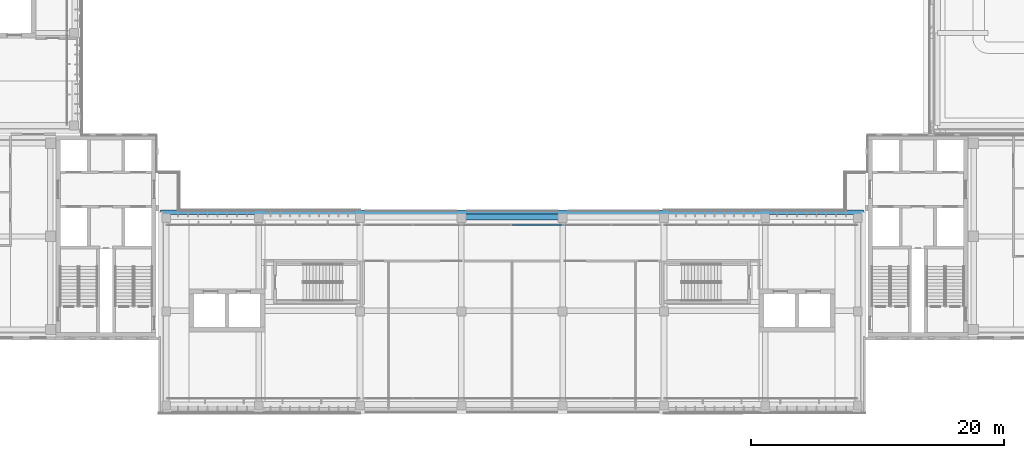
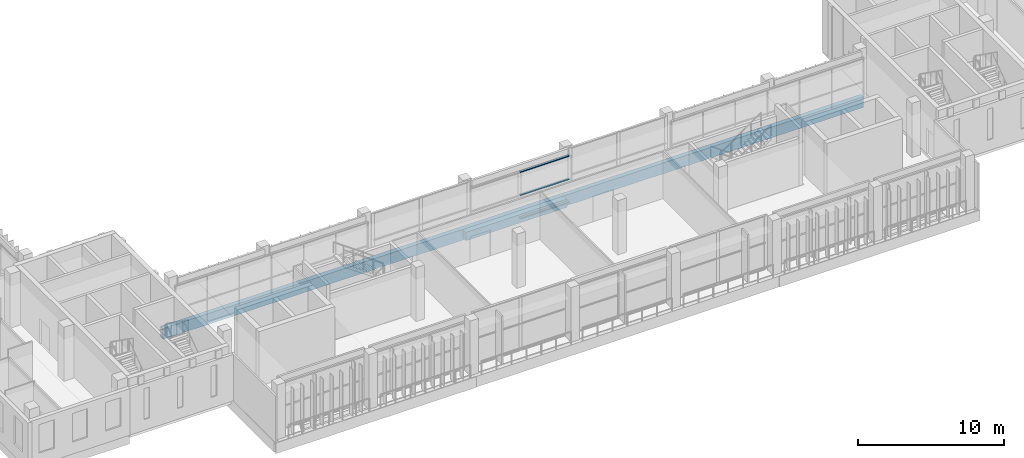
# One storey, part 10 of 46: 3 members, 2 beams, 1 element without a shape of its own.
"""IFC4 building model written with IfcOpenShell, lengths in metres."""

from ifc_helpers import new_model, si_unit, direction, frame, origin, origin_2d, place, context, subcontext, project, spatial, rectangle, extrude, material, material_profile, profile_set, type_object, element, aggregate, save


model = new_model("IFC4")

# Units and contexts
model_context = context("Model", 3, precision=1e-05, world=origin(), true_north=direction((0.0, 1.0)))
body_context = subcontext(model_context, "Body", "Model", "MODEL_VIEW")
ifc_project = project(units=[si_unit("LENGTHUNIT", "METRE"), si_unit("AREAUNIT", "SQUARE_METRE"), si_unit("VOLUMEUNIT", "CUBIC_METRE"), si_unit("PLANEANGLEUNIT", "RADIAN"), si_unit("MASSUNIT", "GRAM", prefix="KILO")], contexts=[model_context])

# Site, building, storey
site_placement = place(None, origin())
site = spatial("IfcSite", under=ifc_project, at=site_placement, CompositionType="ELEMENT")
building_placement = place(site_placement, origin())
building = spatial("IfcBuilding", under=site, at=building_placement, Name="Lantern Court Media Centre", CompositionType="ELEMENT")
storey_placement = place(building_placement, frame((0.0, 0.0, 28.800048828125)))
storey = spatial("IfcBuildingStorey", under=building, at=storey_placement, Name="L06", CompositionType="ELEMENT", Elevation=28.800048828125)

# Curtain wall, members
ifc_material_1 = material(Name="Curtain wall bay 4000")
curtain_wall_type = type_object("IfcCurtainWallType", Name="Curtain wall bay 4000", PredefinedType="NOTDEFINED", material=ifc_material_1)
curtain_wall_placement = place(storey_placement, origin())
curtain_wall = element("IfcCurtainWall", 1, at=curtain_wall_placement, inside=storey, type_object=curtain_wall_type, Name="Curtain wall S inner L06", PredefinedType="NOTDEFINED")
ifc_material_2 = material(Name="Anodised aluminium", Category="aluminium")
ifc_material_profile_1 = material_profile(ifc_material_2, rectangle(XDim=0.159912109375, YDim=0.080078125, at=origin_2d()), Name="AL 80x160")
ifc_profile_set_1 = profile_set([ifc_material_profile_1], Name="Anodised aluminium")
member_type = type_object("IfcMemberType", Name="Curtain wall transom 160x80", PredefinedType="USERDEFINED", material=ifc_profile_set_1)
member_1_placement = place(storey_placement, frame((52.0400390625, 56.85009765625, 0.0400390625), z_axis=(1.0, 0.0, 0.0), x_axis=(0.0, 1.0, 0.0)))
member_1 = element("IfcMember", 2, at=member_1_placement, type_object=member_type, Name="CW3 transom 2.1", ObjectType="TRANSOM", PredefinedType="USERDEFINED", context=body_context, shape_type="SweptSolid", body=[
    extrude(rectangle(XDim=0.159912109375, YDim=0.080078125, at=origin_2d()), origin(), (0.0, 0.0, 1.0), 3.8798828125),
])
member_2_placement = place(storey_placement, frame((52.0400390625, 56.85009765625, 1.974853515625), z_axis=(1.0, 0.0, 0.0), x_axis=(0.0, 1.0, 0.0)))
member_2 = element("IfcMember", 3, at=member_2_placement, type_object=member_type, Name="CW3 transom 2.2", ObjectType="TRANSOM", PredefinedType="USERDEFINED", context=body_context, shape_type="SweptSolid", body=[
    extrude(rectangle(XDim=0.159912109375, YDim=0.080078125, at=origin_2d()), origin(), (0.0, 0.0, 1.0), 3.8798828125),
])
member_3_placement = place(storey_placement, frame((52.0400390625, 56.85009765625, 3.909912109375), z_axis=(1.0, 0.0, 0.0), x_axis=(0.0, 1.0, 0.0)))
member_3 = element("IfcMember", 4, at=member_3_placement, type_object=member_type, Name="CW3 transom 2.3", ObjectType="TRANSOM", PredefinedType="USERDEFINED", context=body_context, shape_type="SweptSolid", body=[
    extrude(rectangle(XDim=0.159912109375, YDim=0.080078125, at=origin_2d()), origin(), (0.0, 0.0, 1.0), 3.8798828125),
])
aggregate(curtain_wall, [member_1, member_2, member_3])

# Beams
ifc_material_3 = material(Name="Concrete C35", Category="concrete")
ifc_material_profile_2 = material_profile(ifc_material_3, rectangle(XDim=0.35009765625, YDim=0.89990234375, at=origin_2d()), Name="RC 350x900")
ifc_profile_set_2 = profile_set([ifc_material_profile_2], Name="Concrete C35")
beam_type_1 = type_object("IfcBeamType", Name="RC BEAM 350x900", PredefinedType="BEAM", material=ifc_profile_set_2)
beam_1_placement = place(storey_placement, frame((24.25, 57.85009765625, -0.449951171875), z_axis=(1.0, 0.0, 0.0), x_axis=(0.0, 1.0, 0.0)))
element("IfcBeam", 5, at=beam_1_placement, inside=storey, type_object=beam_type_1, Name="EB-S-L06-B", PredefinedType="BEAM", context=body_context, shape_type="SweptSolid", body=[
    extrude(rectangle(XDim=0.35009765625, YDim=0.89990234375, at=origin_2d()), origin(), (0.0, 0.0, 1.0), 55.5),
])
ifc_material_profile_3 = material_profile(ifc_material_3, rectangle(XDim=0.449951171875, YDim=0.699951171875, at=origin_2d()), Name="RC 450x700")
ifc_profile_set_3 = profile_set([ifc_material_profile_3], Name="Concrete C35")
beam_type_2 = type_object("IfcBeamType", Name="RC BEAM 450x700", PredefinedType="BEAM", material=ifc_profile_set_3)
beam_2_placement = place(storey_placement, frame((48.0, 57.472900390625, -0.35009765625), z_axis=(1.0, 0.0, 0.0), x_axis=(0.0, 1.0, 0.0)))
element("IfcBeam", 6, at=beam_2_placement, inside=storey, type_object=beam_type_2, Name="LB-S-L06-2-3", PredefinedType="BEAM", context=body_context, shape_type="SweptSolid", body=[
    extrude(rectangle(XDim=0.449951171875, YDim=0.699951171875, at=origin_2d()), origin(), (0.0, 0.0, 1.0), 8.0),
])

save(model, "model.ifc")
